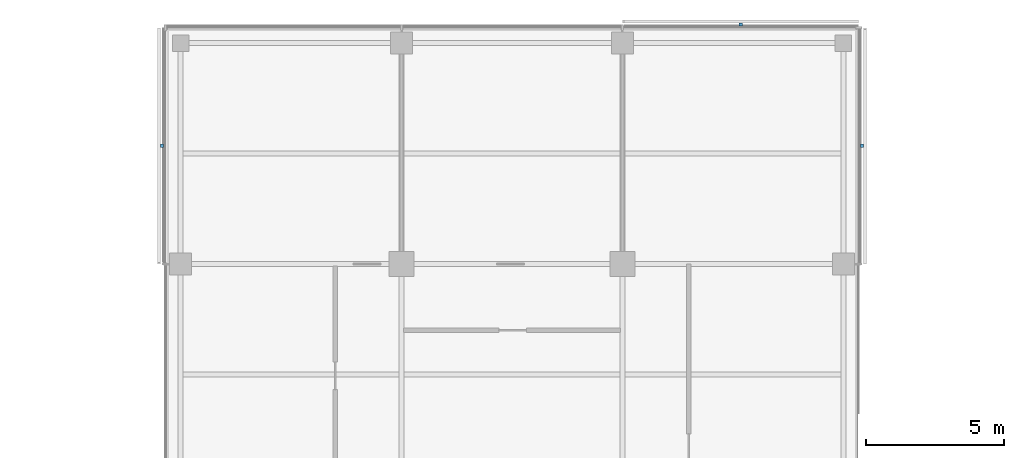
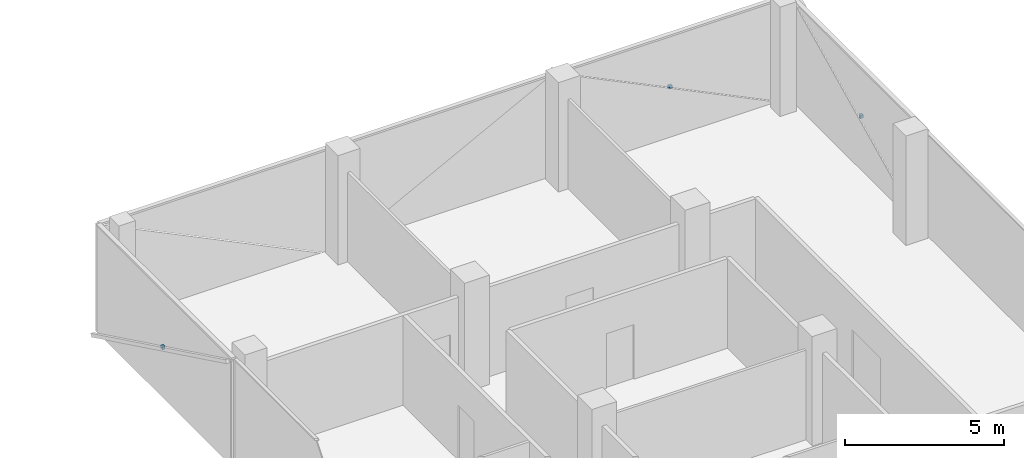
# One storey, part 14 of 15: 3 discrete accessories.
"""IFC4 building model written with IfcOpenShell, lengths in metres."""

from ifc_helpers import new_model, si_unit, direction, frame, origin, origin_2d, place, context, subcontext, project, spatial, rectangle, extrude, material, type_object, element, save


model = new_model("IFC4")

# Units and contexts
model_context = context("Model", 3, precision=1e-05, world=origin(), true_north=direction((0.0, 1.0)))
body_context = subcontext(model_context, "Body", "Model", "MODEL_VIEW")
ifc_project = project(units=[si_unit("LENGTHUNIT", "METRE"), si_unit("AREAUNIT", "SQUARE_METRE"), si_unit("VOLUMEUNIT", "CUBIC_METRE"), si_unit("PLANEANGLEUNIT", "RADIAN"), si_unit("MASSUNIT", "GRAM", prefix="KILO")], contexts=[model_context])

# Site, building, storey
site_placement = place(None, origin())
site = spatial("IfcSite", under=ifc_project, at=site_placement, CompositionType="ELEMENT")
building_placement = place(site_placement, origin())
building = spatial("IfcBuilding", under=site, at=building_placement, Name="Crosswind Convention Tower", CompositionType="ELEMENT")
storey_placement = place(building_placement, frame((0.0, 0.0, 187.300048828125)))
storey = spatial("IfcBuildingStorey", under=building, at=storey_placement, Name="L39", CompositionType="ELEMENT", Elevation=187.300048828125)

# Discrete accessories
ifc_material = material(Name="Stainless steel", Category="steel")
discrete_accessory_type = type_object("IfcDiscreteAccessoryType", Name="BAGUETTE BRACKET BK3", PredefinedType="BRACKET", material=ifc_material)
for number, where, z_axis, x_axis, name in (
    (1, (137.676025390625, 124.280029296875, 1.704833984375), (0.0, 0.0, 1.0), (0.0, 1.0, 0.0), "BK3 baguette bracket"),
    (2, (133.280029296875, 128.676025390625, 1.704833984375), (0.0, 0.0, 1.0), (-1.0, 0.0, 0.0), "BK3 baguette bracket"),
    (3, (112.323974609375, 124.280029296875, 1.704833984375), (0.0, 0.0, 1.0), (0.0, -1.0, 0.0), "BK3 baguette bracket"),
):
    element("IfcDiscreteAccessory", number, at=place(storey_placement, frame(where, z_axis=z_axis, x_axis=x_axis)), inside=storey, type_object=discrete_accessory_type, Name=name, PredefinedType="BRACKET", context=body_context, shape_type="SweptSolid", body=[
        extrude(rectangle(XDim=0.1201171875, YDim=0.10009765625, at=origin_2d()), origin(), (0.0, 0.0, 1.0), 0.1201171875),
    ])

save(model, "model.ifc")
